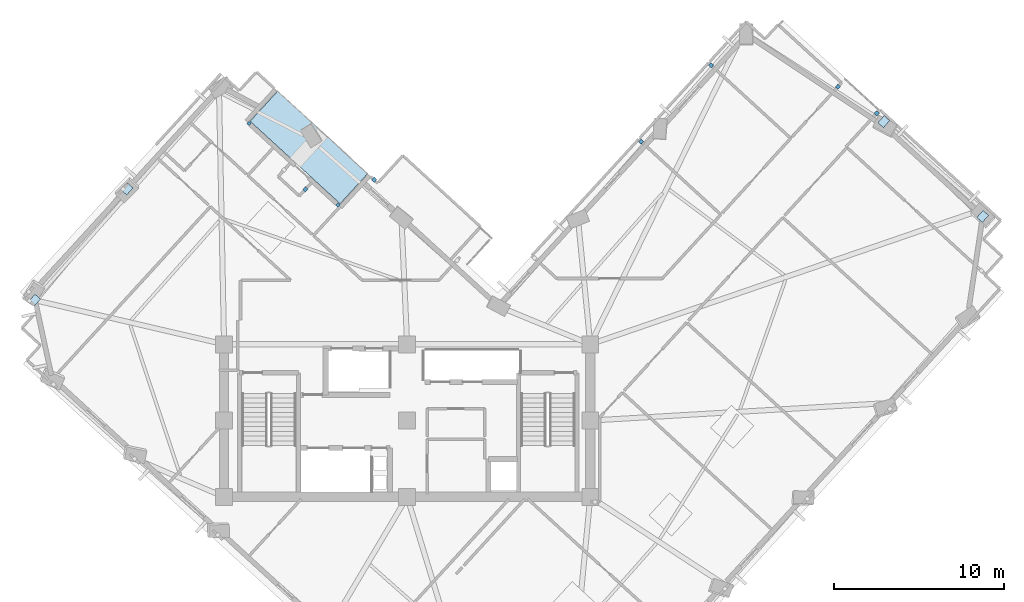
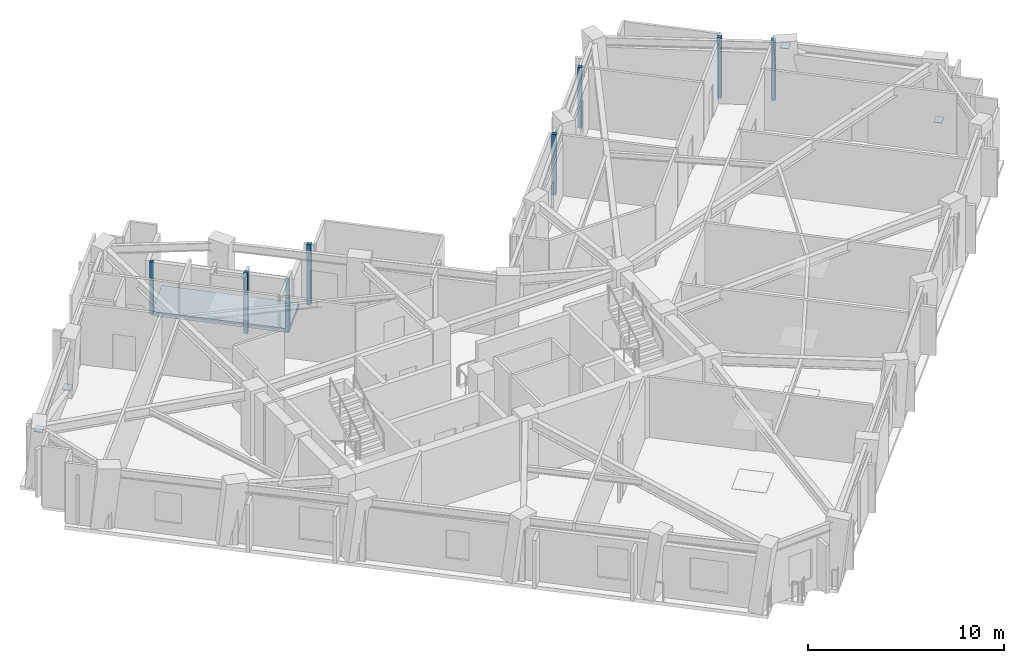
# One storey, part 3 of 12: 12 plates, 1 slab.
"""IFC4 building model written with IfcOpenShell, lengths in metres."""

from ifc_helpers import new_model, si_unit, direction, frame, origin, origin_2d, place, context, subcontext, project, spatial, polyline, rectangle, outline, extrude, material, layer, layer_set, type_object, element, save


model = new_model("IFC4")

# Units and contexts
model_context = context("Model", 3, precision=1e-05, world=origin(), true_north=direction((0.0, 1.0)))
body_context = subcontext(model_context, "Body", "Model", "MODEL_VIEW")
ifc_project = project(units=[si_unit("LENGTHUNIT", "METRE"), si_unit("AREAUNIT", "SQUARE_METRE"), si_unit("VOLUMEUNIT", "CUBIC_METRE"), si_unit("PLANEANGLEUNIT", "RADIAN"), si_unit("MASSUNIT", "GRAM", prefix="KILO")], contexts=[model_context])

# Site, building, storey
site_placement = place(None, origin())
site = spatial("IfcSite", under=ifc_project, at=site_placement, CompositionType="ELEMENT")
building_placement = place(site_placement, origin())
building = spatial("IfcBuilding", under=site, at=building_placement, Name="Gaonmaruhae Medical Tower", CompositionType="ELEMENT")
storey_placement = place(building_placement, frame((0.0, 0.0, 227.199951171875)))
storey = spatial("IfcBuildingStorey", under=building, at=storey_placement, Name="L54", CompositionType="ELEMENT", Elevation=227.199951171875)

# Plates
ifc_material_1 = material(Name="Steel HSA650 (650 MPa)", Category="steel")
ifc_layer_1 = layer(ifc_material_1, 0.028076171875)
ifc_layer_set_1 = layer_set([ifc_layer_1], Name="Steel HSA650 (650 MPa)")
plate_type_1 = type_object("IfcPlateType", Name="GP-02 Tube Brace End Cap Gusset Plate", PredefinedType="USERDEFINED", material=ifc_layer_set_1)
for number, where, z_axis, x_axis, name in (
    (1, (58.746337890625, 24.3408203125, 0.23583984375), (0.0, 0.0, 1.0), (0.675590207616, 0.73727733681, 0.0), "L54 Gusset Cap Plate PLT-L54-PBR-E01A"),
    (2, (52.9130859375, 29.931396484375, 3.51611328125), (0.0, 0.0, 1.0), (0.66327338299, 0.748377190605, 0.0), "L54 Gusset Cap Plate PLT-L54-PBR-E01B"),
    (3, (8.281494140625, 25.95947265625, 0.23583984375), (0.0, 0.0, 1.0), (0.675590207616, 0.73727733681, 0.0), "L54 Gusset Cap Plate PLT-L54-PBR-N02A"),
    (4, (2.8271484375, 19.40283203125, 3.51611328125), (0.0, 0.0, 1.0), (0.66327338299, 0.748377190605, 0.0), "L54 Gusset Cap Plate PLT-L54-PBR-N02B"),
):
    element("IfcPlate", number, at=place(storey_placement, frame(where, z_axis=z_axis, x_axis=x_axis)), inside=storey, type_object=plate_type_1, Name=name, ObjectType="GUSSET_PLATE", PredefinedType="USERDEFINED", context=body_context, shape_type="SweptSolid", body=[
        extrude(rectangle(XDim=0.56005859375, YDim=0.43994140625, at=origin_2d()), origin(), (0.0, 0.0, 1.0), 0.028076171875),
    ])
ifc_material_2 = material(Name="Anodised aluminium 6063-T6", Category="aluminium")
ifc_layer_2 = layer(ifc_material_2, 0.011962890625)
ifc_layer_set_2 = layer_set([ifc_layer_2], Name="Anodised aluminium 6063-T6")
plate_type_2 = type_object("IfcPlateType", Name="PP-01 Interior Partition Corner Stiffener Plate", PredefinedType="SHEET", material=ifc_layer_set_2)
for number, where, z_axis, x_axis, name in (
    (5, (15.4736328125, 29.826416015625, 0.0), (0.0, 0.0, 1.0), (0.73727733681, -0.675590207616, 0.0), "L54 Partition End Jamb Post Plate PLT-L54-ENDP-TERB-0"),
    (6, (20.72314453125, 25.016357421875, 0.0), (0.0, 0.0, 1.0), (0.73727733681, -0.675590207616, 0.0), "L54 Partition End Jamb Post Plate PLT-L54-ENDP-TERB-1"),
):
    element("IfcPlate", number, at=place(storey_placement, frame(where, z_axis=z_axis, x_axis=x_axis)), inside=storey, type_object=plate_type_2, Name=name, PredefinedType="SHEET", context=body_context, shape_type="SweptSolid", body=[
        extrude(rectangle(XDim=0.179931640625, YDim=0.179931640625, at=origin_2d()), origin(), (0.0, 0.0, 1.0), 3.264892578125),
    ])
for number, where, z_axis, x_axis, name in (
    (7, (38.603515625, 28.75390625, 0.0), (0.0, 0.0, 1.0), (0.737442392628, -0.675410036611, 0.0), "L54 Partition Corner Stiffener Plate PLT-L54-JGP-PW049"),
    (8, (42.7275390625, 33.2548828125, 0.0), (0.0, 0.0, 1.0), (0.737442392628, -0.675410036611, 0.0), "L54 Partition Corner Stiffener Plate PLT-L54-JGP-PW057"),
    (9, (50.208984375, 31.987548828125, 0.0), (0.0, 0.0, 1.0), (-0.67593756635, -0.736958890575, 0.0), "L54 Partition Corner Stiffener Plate PLT-L54-JGP-PW061"),
    (10, (22.85400390625, 26.509033203125, 0.0), (0.0, 0.0, 1.0), (0.737159412846, -0.675718876495, 0.0), "L54 Partition Corner Stiffener Plate PLT-L54-JGP-PW071"),
    (11, (18.79638671875, 25.9375, 0.0), (0.0, 0.0, 1.0), (0.676104759618, 0.736805506238, 0.0), "L54 Partition Corner Stiffener Plate PLT-L54-JGP-PW075"),
    (12, (52.494384765625, 30.425048828125, 0.0), (0.0, 0.0, 1.0), (0.676040458633, 0.736864504703, 0.0), "L54 Partition Corner Stiffener Plate PLT-L54-JGP-PW095"),
):
    element("IfcPlate", number, at=place(storey_placement, frame(where, z_axis=z_axis, x_axis=x_axis)), inside=storey, type_object=plate_type_2, Name=name, PredefinedType="SHEET", context=body_context, shape_type="SweptSolid", body=[
        extrude(rectangle(XDim=0.219970703125, YDim=0.219970703125, at=origin_2d()), origin(), (0.0, 0.0, 1.0), 3.780029296875),
    ])

# Slab
ifc_material_3 = material(Name="Concrete C40/50", Category="concrete")
ifc_layer_3 = layer(ifc_material_3, 0.239990234375)
ifc_layer_set_3 = layer_set([ifc_layer_3], Name="Concrete C40/50")
slab_type = type_object("IfcSlabType", Name="TS-240 Sky Garden & Recovery Terrace Slab", PredefinedType="FLOOR", material=ifc_layer_set_3)
slab_placement = place(storey_placement, frame((0.0, 0.0, -0.239990234375)))
element("IfcSlab", 13, at=slab_placement, inside=storey, type_object=slab_type, Name="L54 Outdoor Recovery Terrace Slab", PredefinedType="FLOOR", context=body_context, shape_type="SweptSolid", body=[
    extrude(outline(polyline([(20.84716796875, 25.092529296875), (22.468505859375, 26.862060546875), (17.16015625, 31.726318359375), (15.538818359375, 29.956787109375), (20.84716796875, 25.092529296875)])), origin(), (0.0, 0.0, 1.0), 0.239990234375),
])

save(model, "model.ifc")
